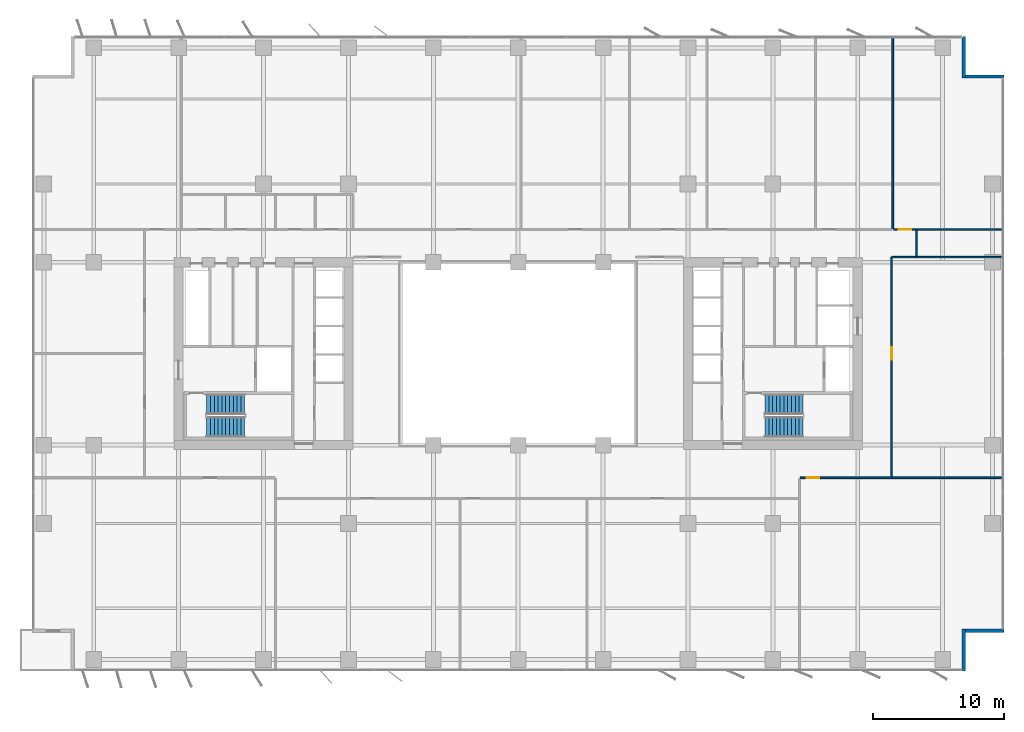
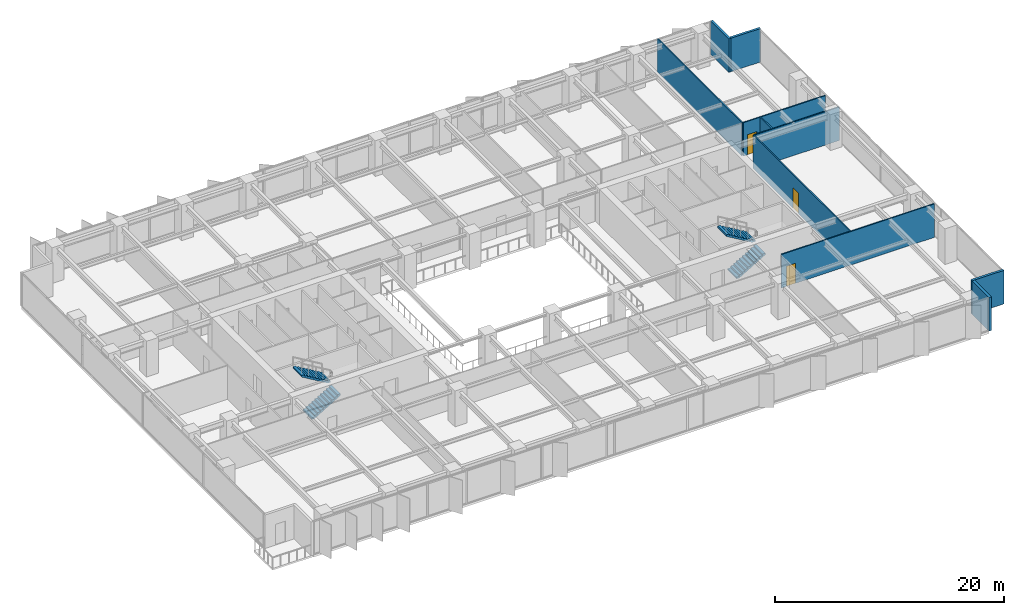
# One storey, part 16 of 20: 10 walls, 4 stair flights, 3 doors, 3 openings, 2 elements without a shape of their own.
"""IFC4 building model written with IfcOpenShell, lengths in metres."""

from ifc_helpers import new_model, si_unit, direction, frame, frame_2d, origin, place, context, subcontext, project, spatial, polyline, rectangle, outline, extrude, material, layer, layer_set, type_object, element, fill, aggregate, save


model = new_model("IFC4")

# Units and contexts
model_context = context("Model", 3, precision=1e-05, world=origin(), true_north=direction((0.0, 1.0)))
body_context = subcontext(model_context, "Body", "Model", "MODEL_VIEW")
ifc_project = project(units=[si_unit("LENGTHUNIT", "METRE"), si_unit("AREAUNIT", "SQUARE_METRE"), si_unit("VOLUMEUNIT", "CUBIC_METRE"), si_unit("PLANEANGLEUNIT", "RADIAN"), si_unit("MASSUNIT", "GRAM", prefix="KILO")], contexts=[model_context])

# Site, building, storey
site_placement = place(None, origin())
site = spatial("IfcSite", under=ifc_project, at=site_placement, CompositionType="ELEMENT")
building_placement = place(site_placement, origin())
building = spatial("IfcBuilding", under=site, at=building_placement, Name="Putna Gate Headquarters", CompositionType="ELEMENT")
storey_placement = place(building_placement, frame((0.0, 0.0, 105.0)))
storey = spatial("IfcBuildingStorey", under=building, at=storey_placement, Name="L25", CompositionType="ELEMENT", Elevation=105.0)

# Walls
ifc_material_1 = material(Name="Precast concrete C40/50", Category="concrete")
ifc_layer_1 = layer(ifc_material_1, 0.239990234375)
ifc_layer_set_1 = layer_set([ifc_layer_1], Name="Precast concrete C40/50")
wall_type_1 = type_object("IfcWallType", Name="WALL-EXT-TERR-240", PredefinedType="STANDARD", material=ifc_layer_set_1)
for number, where, z_axis, x_axis, name in (
    (1, (73.1201171875, 50.300048828125, 0.0), (0.0, 0.0, 1.0), (0.0, -1.0, 0.0), "L25 Corner Notch Return Wall NE-V"),
    (2, (73.0, 47.219970703125, 0.0), (0.0, 0.0, 1.0), (1.0, 0.0, 0.0), "L25 Corner Notch Return Wall NE-H"),
    (3, (73.1201171875, 4.89990234375, 0.0), (0.0, 0.0, 1.0), (0.0, -1.0, 0.0), "L25 Corner Notch Return Wall SE-V"),
    (4, (76.199951171875, 4.780029296875, 0.0), (0.0, 0.0, 1.0), (-1.0, 0.0, 0.0), "L25 Corner Notch Return Wall SE-H"),
):
    element("IfcWall", number, at=place(storey_placement, frame(where, z_axis=z_axis, x_axis=x_axis)), inside=storey, type_object=wall_type_1, Name=name, PredefinedType="STANDARD", context=body_context, shape_type="SweptSolid", body=[
        extrude(rectangle(XDim=3.199951171875, YDim=0.239990234375, at=frame_2d((1.60009765625, 0.0))), origin(), (0.0, 0.0, 1.0), 3.56494140625),
    ])
ifc_material_2 = material(Name="Acoustic gypsum board on metal stud")
ifc_layer_2 = layer(ifc_material_2, 0.1201171875)
ifc_layer_set_2 = layer_set([ifc_layer_2], Name="Acoustic gypsum board on metal stud")
wall_type_2 = type_object("IfcWallType", Name="WALL-PART-120", PredefinedType="PARTITIONING", material=ifc_layer_set_2)
wall_1_placement = place(storey_placement, frame((67.683349609375, 35.56005859375, 0.0), z_axis=(0.0, 0.0, 1.0), x_axis=(0.0, 1.0, 0.0)))
element("IfcWall", 5, at=wall_1_placement, inside=storey, type_object=wall_type_2, Name="L25 Interior Wall PART-L25-NB-DIV-06", PredefinedType="PARTITIONING", context=body_context, shape_type="SweptSolid", body=[
    extrude(rectangle(XDim=14.719970703125, YDim=0.1201171875, at=frame_2d((7.35986328125, 0.0))), origin(), (0.0, 0.0, 1.0), 3.56494140625),
])
ifc_material_3 = material(Name="Fire-rated gypsum board on metal stud")
ifc_layer_3 = layer(ifc_material_3, 0.1201171875)
ifc_layer_set_3 = layer_set([ifc_layer_3], Name="Fire-rated gypsum board on metal stud")
wall_type_3 = type_object("IfcWallType", Name="WALL-PART-120-RATED", PredefinedType="PARTITIONING", material=ifc_layer_set_3)
wall_2_placement = place(storey_placement, frame((69.4833984375, 33.39990234375, 0.0), z_axis=(0.0, 0.0, 1.0), x_axis=(0.0, 1.0, 0.0)))
element("IfcWall", 6, at=wall_2_placement, inside=storey, type_object=wall_type_3, Name="L25 Interior Wall PART-L25-CORRN-CAPE", PredefinedType="PARTITIONING", context=body_context, shape_type="SweptSolid", body=[
    extrude(rectangle(XDim=2.10009765625, YDim=0.1201171875, at=frame_2d((1.050048828125, 0.0))), origin(), (0.0, 0.0, 1.0), 3.56494140625),
])

# Wall, opening, door
wall_3_placement = place(storey_placement, frame((67.743408203125, 35.5, 0.0), z_axis=(0.0, 0.0, 1.0), x_axis=(1.0, 0.0, 0.0)))
wall_3 = element("IfcWall", 7, at=wall_3_placement, inside=storey, type_object=wall_type_3, Name="L25 Interior Wall PART-L25-NB-CW-07", PredefinedType="PARTITIONING", context=body_context, shape_type="SweptSolid", body=[
    extrude(rectangle(XDim=8.276611328125, YDim=0.1201171875, at=frame_2d((4.13818359375, 0.0))), origin(), (0.0, 0.0, 1.0), 3.56494140625),
])
opening_1_placement = place(wall_3_placement, frame((0.39501953125, 0.0, 0.0)))
opening_1 = element("IfcOpeningElement", 8, at=opening_1_placement, cuts=wall_3, Name="Opening FD-95", PredefinedType="OPENING", context=body_context, shape_type="SweptSolid", body=[
    extrude(rectangle(XDim=0.949951171875, YDim=2.14990234375, at=frame_2d((0.47509765625, 1.074951171875))), frame((0.0, 0.070068359375, 0.0), z_axis=(0.0, -1.0, 0.0), x_axis=(1.0, 0.0, 0.0)), (0.0, 0.0, 1.0), 0.14013671875),
])
ifc_material_4 = material(Name="Acoustic timber fire door", Category="wood")
door_type = type_object("IfcDoorType", Name="DOOR-FIRE-950", OperationType="NOTDEFINED", PredefinedType="DOOR", material=ifc_material_4)
door_1_placement = place(opening_1_placement, origin())
door_1 = element("IfcDoor", 9, at=door_1_placement, inside=storey, type_object=door_type, Name="L25 Cellular Office 1 Door", OperationType="SINGLE_SWING_LEFT", OverallHeight=2.14990234375, OverallWidth=0.949951171875, PredefinedType="DOOR", context=body_context, shape_type="SweptSolid", body=[
    extrude(rectangle(XDim=0.949951171875, YDim=2.14990234375, at=frame_2d((0.47509765625, 1.074951171875))), frame((0.0, 0.02490234375, 0.0), z_axis=(0.0, -1.0, 0.0), x_axis=(1.0, 0.0, 0.0)), (0.0, 0.0, 1.0), 0.050048828125),
])
fill(opening_1, door_1)

wall_4_placement = place(storey_placement, frame((60.605712890625, 16.5, 0.0), z_axis=(0.0, 0.0, 1.0), x_axis=(1.0, 0.0, 0.0)))
wall_4 = element("IfcWall", 10, at=wall_4_placement, inside=storey, type_object=wall_type_3, Name="L25 Interior Wall PART-L25-SB-CW-05", PredefinedType="PARTITIONING", context=body_context, shape_type="SweptSolid", body=[
    extrude(rectangle(XDim=15.414306640625, YDim=0.1201171875, at=frame_2d((7.70703125, 0.0))), origin(), (0.0, 0.0, 1.0), 3.56494140625),
])
opening_2_placement = place(wall_4_placement, frame((0.47998046875, 0.0, 0.0)))
opening_2 = element("IfcOpeningElement", 11, at=opening_2_placement, cuts=wall_4, Name="Opening FD-95", PredefinedType="OPENING", context=body_context, shape_type="SweptSolid", body=[
    extrude(rectangle(XDim=0.949951171875, YDim=2.14990234375, at=frame_2d((0.47509765625, 1.074951171875))), frame((0.0, 0.070068359375, 0.0), z_axis=(0.0, -1.0, 0.0), x_axis=(1.0, 0.0, 0.0)), (0.0, 0.0, 1.0), 0.14013671875),
])
door_2_placement = place(opening_2_placement, origin())
door_2 = element("IfcDoor", 12, at=door_2_placement, inside=storey, type_object=door_type, Name="L25 Cellular Office 3 Door", OperationType="SINGLE_SWING_RIGHT", OverallHeight=2.14990234375, OverallWidth=0.949951171875, PredefinedType="DOOR", context=body_context, shape_type="SweptSolid", body=[
    extrude(rectangle(XDim=0.949951171875, YDim=2.14990234375, at=frame_2d((0.47509765625, 1.074951171875))), frame((0.0, 0.02490234375, 0.0), z_axis=(0.0, -1.0, 0.0), x_axis=(1.0, 0.0, 0.0)), (0.0, 0.0, 1.0), 0.050048828125),
])
fill(opening_2, door_2)

# Wall
wall_5_placement = place(storey_placement, frame((67.60009765625, 33.39990234375, 0.0), z_axis=(0.0, 0.0, 1.0), x_axis=(1.0, 0.0, 0.0)))
element("IfcWall", 13, at=wall_5_placement, inside=storey, type_object=wall_type_3, Name="L25 Interior Wall PART-L25-EW-N-BOUND", PredefinedType="PARTITIONING", context=body_context, shape_type="SweptSolid", body=[
    extrude(rectangle(XDim=8.579833984375, YDim=0.1201171875, at=frame_2d((4.2900390625, 0.0))), origin(), (0.0, 0.0, 1.0), 3.56494140625),
])

# Wall, opening, door
wall_6_placement = place(storey_placement, frame((67.60009765625, 16.5, 0.0), z_axis=(0.0, 0.0, 1.0), x_axis=(0.0, 1.0, 0.0)))
wall_6 = element("IfcWall", 14, at=wall_6_placement, inside=storey, type_object=wall_type_3, Name="L25 Interior Wall PART-L25-EW-CW-1", PredefinedType="PARTITIONING", context=body_context, shape_type="SweptSolid", body=[
    extrude(rectangle(XDim=16.89990234375, YDim=0.1201171875, at=frame_2d((8.449951171875, 0.0))), origin(), (0.0, 0.0, 1.0), 3.56494140625),
])
opening_3_placement = place(wall_6_placement, frame((9.02490234375, 0.0, 0.0)))
opening_3 = element("IfcOpeningElement", 15, at=opening_3_placement, cuts=wall_6, Name="Opening FD-95", PredefinedType="OPENING", context=body_context, shape_type="SweptSolid", body=[
    extrude(rectangle(XDim=0.949951171875, YDim=2.14990234375, at=frame_2d((0.47509765625, 1.074951171875))), frame((0.0, 0.070068359375, 0.0), z_axis=(0.0, -1.0, 0.0), x_axis=(1.0, 0.0, 0.0)), (0.0, 0.0, 1.0), 0.14013671875),
])
door_3_placement = place(opening_3_placement, origin())
door_3 = element("IfcDoor", 16, at=door_3_placement, inside=storey, type_object=door_type, Name="L25 East Horizon Conference Room 1 Door", OperationType="SINGLE_SWING_LEFT", OverallHeight=2.14990234375, OverallWidth=0.949951171875, PredefinedType="DOOR", context=body_context, shape_type="SweptSolid", body=[
    extrude(rectangle(XDim=0.949951171875, YDim=2.14990234375, at=frame_2d((0.47509765625, 1.074951171875))), frame((0.0, 0.02490234375, 0.0), z_axis=(0.0, -1.0, 0.0), x_axis=(1.0, 0.0, 0.0)), (0.0, 0.0, 1.0), 0.050048828125),
])
fill(opening_3, door_3)

# Stair, stair flights
ifc_material_5 = material(Name="Concrete C40/50", Category="concrete")
stair_type_1 = type_object("IfcStairType", Name="STAIR-ST1", PredefinedType="HALF_TURN_STAIR", material=ifc_material_5)
stair_1_placement = place(storey_placement, origin())
stair_1 = element("IfcStair", 17, at=stair_1_placement, inside=storey, type_object=stair_type_1, Name="L25 West Core Exit Stair ST1", PredefinedType="HALF_TURN_STAIR")
stair_flight_type_1 = type_object("IfcStairFlightType", Name="FLIGHT-ST1", PredefinedType="STRAIGHT", material=ifc_material_5)
stair_flight_1_placement = place(storey_placement, frame((15.14990234375, 20.375, 0.0), z_axis=(0.0, 0.0, 1.0), x_axis=(1.0, 0.0, 0.0)))
stair_flight_1 = element("IfcStairFlight", 18, at=stair_flight_1_placement, type_object=stair_flight_type_1, Name="ST1 flight 1", NumberOfRisers=11, NumberOfTreads=10, PredefinedType="STRAIGHT", RiserHeight=0.172727273, TreadLength=0.29, context=body_context, shape_type="SweptSolid", body=[
    extrude(outline(polyline([(0.0, 0.0), (0.0, 0.172607421875), (0.2900390625, 0.172607421875), (0.2900390625, 0.345458984375), (0.580078125, 0.345458984375), (0.580078125, 0.51806640625), (0.8701171875, 0.51806640625), (0.8701171875, 0.69091796875), (1.159912109375, 0.69091796875), (1.159912109375, 0.863525390625), (1.449951171875, 0.863525390625), (1.449951171875, 1.036376953125), (1.739990234375, 1.036376953125), (1.739990234375, 1.208984375), (2.030029296875, 1.208984375), (2.030029296875, 1.3818359375), (2.320068359375, 1.3818359375), (2.320068359375, 1.554443359375), (2.610107421875, 1.554443359375), (2.610107421875, 1.727294921875), (2.89990234375, 1.727294921875), (2.89990234375, 1.89990234375), (2.89990234375, 1.552734375), (0.29296875, 0.0), (0.0, 0.0)])), frame((0.0, 0.77490234375, 0.0), z_axis=(0.0, -1.0, 0.0), x_axis=(1.0, 0.0, 0.0)), (0.0, 0.0, 1.0), 1.550048828125),
])
stair_flight_2_placement = place(storey_placement, frame((18.050048828125, 22.125, 1.89990234375), z_axis=(0.0, 0.0, 1.0), x_axis=(-1.0, 0.0, 0.0)))
stair_flight_2 = element("IfcStairFlight", 19, at=stair_flight_2_placement, type_object=stair_flight_type_1, Name="ST1 flight 2", NumberOfRisers=11, NumberOfTreads=10, PredefinedType="STRAIGHT", RiserHeight=0.172727273, TreadLength=0.29, context=body_context, shape_type="SweptSolid", body=[
    extrude(outline(polyline([(0.0, 0.0), (0.0, 0.172607421875), (0.2900390625, 0.172607421875), (0.2900390625, 0.345458984375), (0.580078125, 0.345458984375), (0.580078125, 0.51806640625), (0.8701171875, 0.51806640625), (0.8701171875, 0.69091796875), (1.159912109375, 0.69091796875), (1.159912109375, 0.863525390625), (1.449951171875, 0.863525390625), (1.449951171875, 1.036376953125), (1.739990234375, 1.036376953125), (1.739990234375, 1.208984375), (2.030029296875, 1.208984375), (2.030029296875, 1.3818359375), (2.320068359375, 1.3818359375), (2.320068359375, 1.554443359375), (2.610107421875, 1.554443359375), (2.610107421875, 1.727294921875), (2.89990234375, 1.727294921875), (2.89990234375, 1.89990234375), (2.89990234375, 1.552734375), (0.29296875, 0.0), (0.0, 0.0)])), frame((0.0, 0.77490234375, 0.0), z_axis=(0.0, -1.0, 0.0), x_axis=(1.0, 0.0, 0.0)), (0.0, 0.0, 1.0), 1.550048828125),
])
aggregate(stair_1, [stair_flight_1, stair_flight_2])

stair_type_2 = type_object("IfcStairType", Name="STAIR-ST2", PredefinedType="HALF_TURN_STAIR", material=ifc_material_5)
stair_2_placement = place(storey_placement, origin())
stair_2 = element("IfcStair", 20, at=stair_2_placement, inside=storey, type_object=stair_type_2, Name="L25 East Core Exit Stair ST2", PredefinedType="HALF_TURN_STAIR")
stair_flight_type_2 = type_object("IfcStairFlightType", Name="FLIGHT-ST2", PredefinedType="STRAIGHT", material=ifc_material_5)
stair_flight_3_placement = place(storey_placement, frame((57.89990234375, 20.375, 0.0), z_axis=(0.0, 0.0, 1.0), x_axis=(1.0, 0.0, 0.0)))
stair_flight_3 = element("IfcStairFlight", 21, at=stair_flight_3_placement, type_object=stair_flight_type_2, Name="ST2 flight 1", NumberOfRisers=11, NumberOfTreads=10, PredefinedType="STRAIGHT", RiserHeight=0.172727273, TreadLength=0.29, context=body_context, shape_type="SweptSolid", body=[
    extrude(outline(polyline([(0.0, 0.0), (0.0, 0.172607421875), (0.2900390625, 0.172607421875), (0.2900390625, 0.345458984375), (0.580078125, 0.345458984375), (0.580078125, 0.51806640625), (0.8701171875, 0.51806640625), (0.8701171875, 0.69091796875), (1.159912109375, 0.69091796875), (1.159912109375, 0.863525390625), (1.449951171875, 0.863525390625), (1.449951171875, 1.036376953125), (1.739990234375, 1.036376953125), (1.739990234375, 1.208984375), (2.030029296875, 1.208984375), (2.030029296875, 1.3818359375), (2.320068359375, 1.3818359375), (2.320068359375, 1.554443359375), (2.610107421875, 1.554443359375), (2.610107421875, 1.727294921875), (2.89990234375, 1.727294921875), (2.89990234375, 1.89990234375), (2.89990234375, 1.552734375), (0.29296875, 0.0), (0.0, 0.0)])), frame((0.0, 0.77490234375, 0.0), z_axis=(0.0, -1.0, 0.0), x_axis=(1.0, 0.0, 0.0)), (0.0, 0.0, 1.0), 1.550048828125),
])
stair_flight_4_placement = place(storey_placement, frame((60.800048828125, 22.125, 1.89990234375), z_axis=(0.0, 0.0, 1.0), x_axis=(-1.0, 0.0, 0.0)))
stair_flight_4 = element("IfcStairFlight", 22, at=stair_flight_4_placement, type_object=stair_flight_type_2, Name="ST2 flight 2", NumberOfRisers=11, NumberOfTreads=10, PredefinedType="STRAIGHT", RiserHeight=0.172727273, TreadLength=0.29, context=body_context, shape_type="SweptSolid", body=[
    extrude(outline(polyline([(0.0, 0.0), (0.0, 0.172607421875), (0.2900390625, 0.172607421875), (0.2900390625, 0.345458984375), (0.580078125, 0.345458984375), (0.580078125, 0.51806640625), (0.8701171875, 0.51806640625), (0.8701171875, 0.69091796875), (1.159912109375, 0.69091796875), (1.159912109375, 0.863525390625), (1.449951171875, 0.863525390625), (1.449951171875, 1.036376953125), (1.739990234375, 1.036376953125), (1.739990234375, 1.208984375), (2.030029296875, 1.208984375), (2.030029296875, 1.3818359375), (2.320068359375, 1.3818359375), (2.320068359375, 1.554443359375), (2.610107421875, 1.554443359375), (2.610107421875, 1.727294921875), (2.89990234375, 1.727294921875), (2.89990234375, 1.89990234375), (2.89990234375, 1.552734375), (0.29296875, 0.0), (0.0, 0.0)])), frame((0.0, 0.77490234375, 0.0), z_axis=(0.0, -1.0, 0.0), x_axis=(1.0, 0.0, 0.0)), (0.0, 0.0, 1.0), 1.550048828125),
])
aggregate(stair_2, [stair_flight_3, stair_flight_4])

save(model, "model.ifc")
